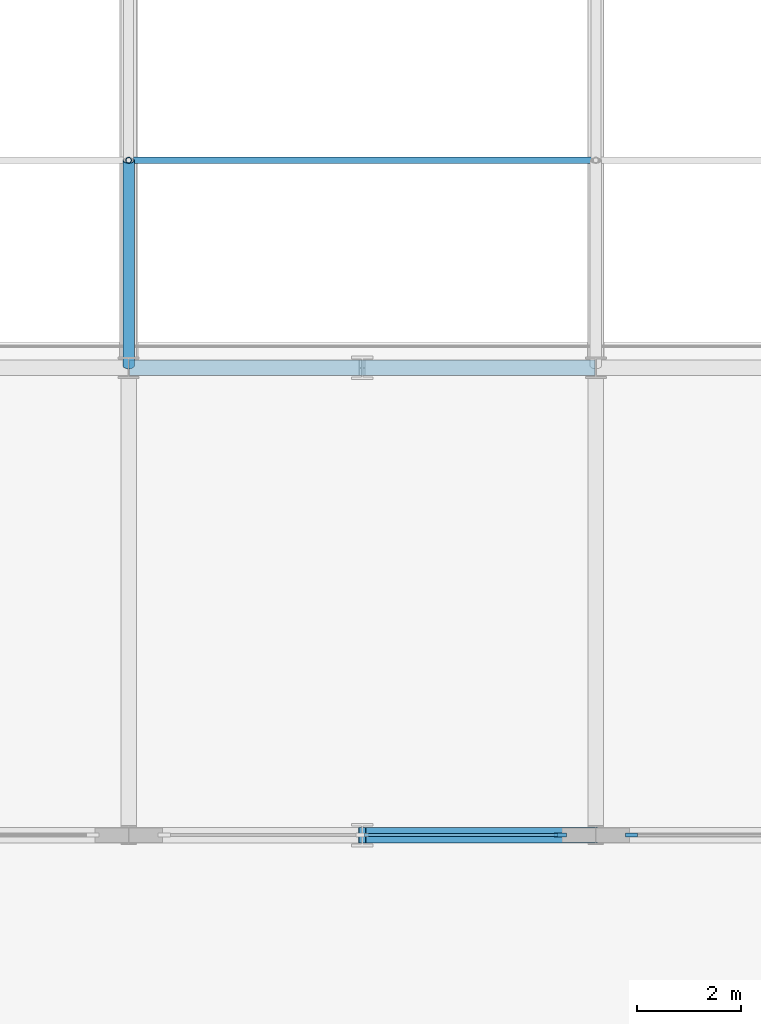
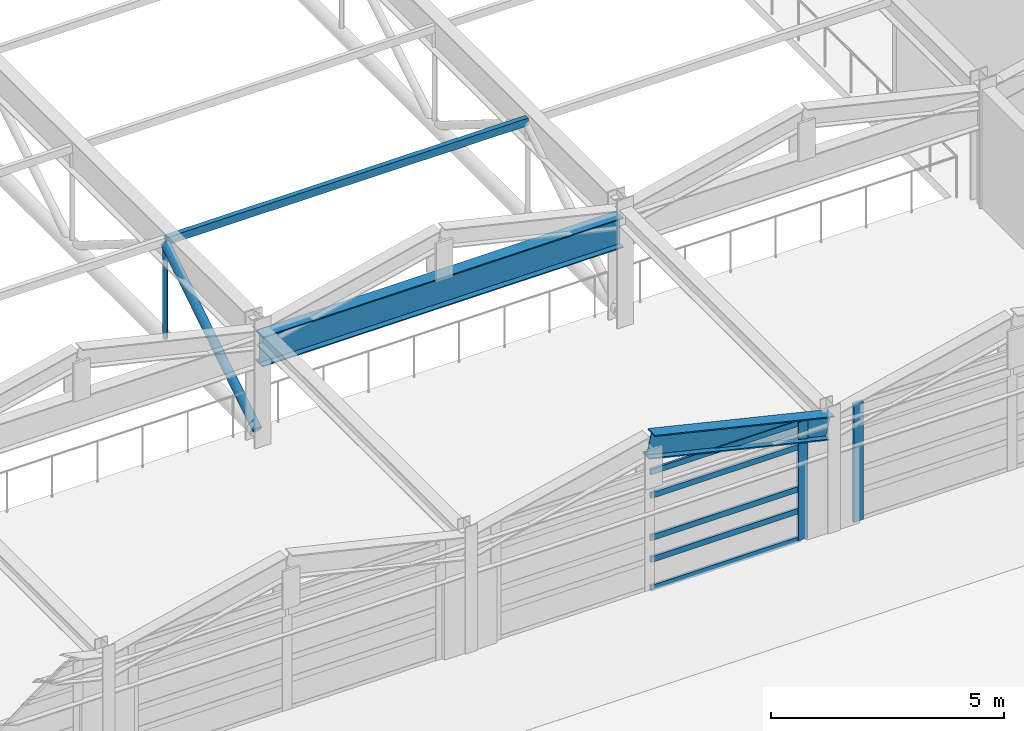
# One storey, part 26 of 91: 10 members, 2 beams, 2 elements without a shape of their own.
"""IFC4 building model written with IfcOpenShell, lengths in metres."""

from ifc_helpers import new_model, si_unit, direction, frame, origin, origin_2d, place, context, subcontext, project, spatial, rectangle, hollow_rectangle, hollow_circle, i_section, extrude, material, material_profile, profile_set, type_object, element, aggregate, save


model = new_model("IFC4")

# Units and contexts
model_context = context("Model", 3, precision=1e-05, world=origin(), true_north=direction((0.0, 1.0)))
body_context = subcontext(model_context, "Body", "Model", "MODEL_VIEW")
ifc_project = project(units=[si_unit("LENGTHUNIT", "METRE"), si_unit("AREAUNIT", "SQUARE_METRE"), si_unit("VOLUMEUNIT", "CUBIC_METRE"), si_unit("PLANEANGLEUNIT", "RADIAN"), si_unit("MASSUNIT", "GRAM", prefix="KILO")], contexts=[model_context])

# Site, building, storey
site_placement = place(None, origin())
site = spatial("IfcSite", under=ifc_project, at=site_placement, CompositionType="ELEMENT")
building_placement = place(site_placement, origin())
building = spatial("IfcBuilding", under=site, at=building_placement, Name="Palais des Congres Ocreval", CompositionType="ELEMENT")
storey_placement = place(building_placement, frame((0.0, 0.0, 8.159912109375)))
storey = spatial("IfcBuildingStorey", under=building, at=storey_placement, Name="L02", CompositionType="ELEMENT", Elevation=8.159912109375)

# Curtain wall, member
ifc_material_1 = material(Name="Anodized bronze aluminium and low-E glass", Category="glass")
curtain_wall_type = type_object("IfcCurtainWallType", Name="Unitised Curtain Wall 7900x3120", PredefinedType="USERDEFINED", material=ifc_material_1)
curtain_wall_1_placement = place(storey_placement, origin())
curtain_wall_1 = element("IfcCurtainWall", 1, at=curtain_wall_1_placement, inside=storey, type_object=curtain_wall_type, Name="Unitised Curtain Wall CW03 L02", ObjectType="UNITISED CURTAIN WALL", PredefinedType="USERDEFINED")
ifc_material_2 = material(Name="Anodized bronze aluminium", Category="aluminium")
ifc_material_profile_1 = material_profile(ifc_material_2, rectangle(XDim=0.074951171875, YDim=0.239990234375, at=origin_2d()), Name="ALU 75x240")
ifc_profile_set_1 = profile_set([ifc_material_profile_1], Name="Anodized bronze aluminium")
member_type_1 = type_object("IfcMemberType", Name="Curtain Wall Mullion ALU 75x240", PredefinedType="MULLION", material=ifc_profile_set_1)
member_1_placement = place(storey_placement, frame((36.6875, 81.0, 0.0), z_axis=(0.0, 0.0, 1.0), x_axis=(0.0, -1.0, 0.0)))
member_1 = element("IfcMember", 2, at=member_1_placement, type_object=member_type_1, Name="Curtain Wall Mullion ML01", PredefinedType="MULLION", context=body_context, shape_type="SweptSolid", body=[
    extrude(rectangle(XDim=0.074951171875, YDim=0.239990234375, at=origin_2d()), origin(), (0.0, 0.0, 1.0), 3.110107421875),
])
aggregate(curtain_wall_1, [member_1])

# Curtain wall, members
curtain_wall_2_placement = place(storey_placement, origin())
curtain_wall_2 = element("IfcCurtainWall", 3, at=curtain_wall_2_placement, inside=storey, type_object=curtain_wall_type, Name="Unitised Curtain Wall CW03 L02", ObjectType="UNITISED CURTAIN WALL", PredefinedType="USERDEFINED")
member_2_placement = place(storey_placement, frame((35.3125, 81.0, 0.0), z_axis=(0.0, 0.0, 1.0), x_axis=(0.0, -1.0, 0.0)))
member_2 = element("IfcMember", 4, at=member_2_placement, type_object=member_type_1, Name="Curtain Wall Mullion ML01", PredefinedType="MULLION", context=body_context, shape_type="SweptSolid", body=[
    extrude(rectangle(XDim=0.074951171875, YDim=0.239990234375, at=origin_2d()), origin(), (0.0, 0.0, 1.0), 3.110107421875),
])
ifc_material_profile_2 = material_profile(ifc_material_2, rectangle(XDim=0.06005859375, YDim=0.14990234375, at=origin_2d()), Name="ALU 60x150")
ifc_profile_set_2 = profile_set([ifc_material_profile_2], Name="Anodized bronze aluminium")
member_type_2 = type_object("IfcMemberType", Name="Curtain Wall Transom ALU 60x150", PredefinedType="USERDEFINED", material=ifc_profile_set_2)
member_3_placement = place(storey_placement, frame((35.27490234375, 81.0, 0.030029296875), z_axis=(-1.0, 0.0, 0.0), x_axis=(0.0, -1.0, 0.0)))
member_3 = element("IfcMember", 5, at=member_3_placement, type_object=member_type_2, Name="Curtain Wall Transom TR01", ObjectType="TRANSOM", PredefinedType="USERDEFINED", context=body_context, shape_type="SweptSolid", body=[
    extrude(rectangle(XDim=0.06005859375, YDim=0.14990234375, at=origin_2d()), origin(), (0.0, 0.0, 1.0), 3.7373046875),
])
member_4_placement = place(storey_placement, frame((35.27490234375, 81.0, 0.780029296875), z_axis=(-1.0, 0.0, 0.0), x_axis=(0.0, -1.0, 0.0)))
member_4 = element("IfcMember", 6, at=member_4_placement, type_object=member_type_2, Name="Curtain Wall Transom TR01", ObjectType="TRANSOM", PredefinedType="USERDEFINED", context=body_context, shape_type="SweptSolid", body=[
    extrude(rectangle(XDim=0.06005859375, YDim=0.14990234375, at=origin_2d()), origin(), (0.0, 0.0, 1.0), 3.7373046875),
])
member_5_placement = place(storey_placement, frame((35.27490234375, 81.0, 1.35302734375), z_axis=(-1.0, 0.0, 0.0), x_axis=(0.0, -1.0, 0.0)))
member_5 = element("IfcMember", 7, at=member_5_placement, type_object=member_type_2, Name="Curtain Wall Transom TR01", ObjectType="TRANSOM", PredefinedType="USERDEFINED", context=body_context, shape_type="SweptSolid", body=[
    extrude(rectangle(XDim=0.06005859375, YDim=0.14990234375, at=origin_2d()), origin(), (0.0, 0.0, 1.0), 3.7373046875),
])
member_6_placement = place(storey_placement, frame((35.27490234375, 81.0, 2.460205078125), z_axis=(-1.0, 0.0, 0.0), x_axis=(0.0, -1.0, 0.0)))
member_6 = element("IfcMember", 8, at=member_6_placement, type_object=member_type_2, Name="Curtain Wall Transom TR01", ObjectType="TRANSOM", PredefinedType="USERDEFINED", context=body_context, shape_type="SweptSolid", body=[
    extrude(rectangle(XDim=0.06005859375, YDim=0.14990234375, at=origin_2d()), origin(), (0.0, 0.0, 1.0), 3.7373046875),
])
member_7_placement = place(storey_placement, frame((35.27490234375, 81.0, 3.080078125), z_axis=(-1.0, 0.0, 0.0), x_axis=(0.0, -1.0, 0.0)))
member_7 = element("IfcMember", 9, at=member_7_placement, type_object=member_type_2, Name="Curtain Wall Transom TR01", ObjectType="TRANSOM", PredefinedType="USERDEFINED", context=body_context, shape_type="SweptSolid", body=[
    extrude(rectangle(XDim=0.06005859375, YDim=0.14990234375, at=origin_2d()), origin(), (0.0, 0.0, 1.0), 3.7373046875),
])
aggregate(curtain_wall_2, [member_2, member_3, member_4, member_5, member_6, member_7])

# Member
ifc_material_3 = material(Name="Steel S355", Category="steel")
ifc_material_profile_3 = material_profile(ifc_material_3, hollow_circle(Radius=0.109619140625, WallThickness=0.012451171875, at=origin_2d()), Name="CHS 219.1x12.5")
ifc_profile_set_3 = profile_set([ifc_material_profile_3], Name="Steel S355")
member_type_3 = type_object("IfcMemberType", Name="Diagonal Brace CHS 219.1x12.5 Steel S355", PredefinedType="BRACE", material=ifc_profile_set_3)
member_8_placement = place(storey_placement, frame((27.0, 90.0400390625, 0.2900390625), z_axis=(0.0, 0.845587991701, 0.533836068743), x_axis=(-1.0, 0.0, 0.0)))
element("IfcMember", 10, at=member_8_placement, inside=storey, type_object=member_type_3, Name="ROOF TRUSS Diagonal V1-27-1", PredefinedType="BRACE", context=body_context, shape_type="SweptSolid", body=[
    extrude(hollow_circle(Radius=0.109619140625, WallThickness=0.012451171875, at=origin_2d()), origin(), (0.0, 0.0, 1.0), 4.68310546875),
])

# Beams
ifc_material_profile_4 = material_profile(ifc_material_3, i_section(OverallWidth=0.300048828125, OverallDepth=0.7900390625, WebThickness=0.014892578125, FlangeThickness=0.028076171875, at=origin_2d()), Name="HEA 800")
ifc_profile_set_4 = profile_set([ifc_material_profile_4], Name="Steel S355")
beam_type_1 = type_object("IfcBeamType", Name="Long-Span Girder HEA 800 Steel S355", PredefinedType="BEAM", material=ifc_profile_set_4)
beam_1_placement = place(storey_placement, frame((27.02001953125, 90.0, 2.43017578125), z_axis=(1.0, 0.0, 0.0), x_axis=(0.0, 1.0, 0.0)))
element("IfcBeam", 11, at=beam_1_placement, inside=storey, type_object=beam_type_1, Name="Beam B15 L02", PredefinedType="BEAM", context=body_context, shape_type="SweptSolid", body=[
    extrude(i_section(OverallWidth=0.300048828125, OverallDepth=0.7900390625, WebThickness=0.014892578125, FlangeThickness=0.028076171875, at=origin_2d()), origin(), (0.0, 0.0, 1.0), 8.9599609375),
])
ifc_material_profile_5 = material_profile(ifc_material_3, i_section(OverallWidth=0.300048828125, OverallDepth=0.60009765625, WebThickness=0.015380859375, FlangeThickness=0.030029296875, at=origin_2d()), Name="HEB 600")
ifc_profile_set_5 = profile_set([ifc_material_profile_5], Name="Steel S355")
beam_type_2 = type_object("IfcBeamType", Name="ROOF TRUSS Rafter HEB 600 Steel S355", PredefinedType="BEAM", material=ifc_profile_set_5)
beam_2_placement = place(storey_placement, frame((31.5, 81.0, 3.820068359375), z_axis=(0.972896426025, 0.0, -0.231241311682), x_axis=(0.0, 1.0, 0.0)))
element("IfcBeam", 12, at=beam_2_placement, inside=storey, type_object=beam_type_2, Name="ROOF TRUSS Folded Rafter RFB2", PredefinedType="BEAM", context=body_context, shape_type="SweptSolid", body=[
    extrude(i_section(OverallWidth=0.300048828125, OverallDepth=0.60009765625, WebThickness=0.015380859375, FlangeThickness=0.030029296875, at=origin_2d()), origin(), (0.0, 0.0, 1.0), 4.584228515625),
])

# Members
ifc_material_profile_6 = material_profile(ifc_material_3, hollow_rectangle(XDim=0.1201171875, YDim=0.199951171875, WallThickness=0.010009765625, at=origin_2d()), Name="RHS 200x120x10")
ifc_profile_set_6 = profile_set([ifc_material_profile_6], Name="Steel S355")
member_type_4 = type_object("IfcMemberType", Name="Roof Purlin RHS 200x120x10 Steel S355", PredefinedType="PURLIN", material=ifc_profile_set_6)
member_9_placement = place(storey_placement, frame((27.02001953125, 94.0, 2.860107421875), z_axis=(1.0, 0.0, 0.0), x_axis=(0.0, 1.0, 0.0)))
element("IfcMember", 13, at=member_9_placement, inside=storey, type_object=member_type_4, Name="Roof Purlin PU01 V1", PredefinedType="PURLIN", context=body_context, shape_type="SweptSolid", body=[
    extrude(hollow_rectangle(XDim=0.1201171875, YDim=0.199951171875, WallThickness=0.010009765625, at=origin_2d()), origin(), (0.0, 0.0, 1.0), 8.9599609375),
])
ifc_material_profile_7 = material_profile(ifc_material_3, hollow_circle(Radius=0.05712890625, WallThickness=0.00634765625, at=origin_2d()), Name="CHS 114.3x6.3")
ifc_profile_set_7 = profile_set([ifc_material_profile_7], Name="Steel S355")
member_type_5 = type_object("IfcMemberType", Name="Truss Strut CHS 114.3x6.3 Steel S355", PredefinedType="STRUT", material=ifc_profile_set_7)
member_10_placement = place(storey_placement, frame((27.0, 94.0, 0.2900390625), z_axis=(0.0, 0.0, 1.0), x_axis=(1.0, 0.0, 0.0)))
element("IfcMember", 14, at=member_10_placement, inside=storey, type_object=member_type_5, Name="ROOF TRUSS Vertical Strut V1-27-1", PredefinedType="STRUT", context=body_context, shape_type="SweptSolid", body=[
    extrude(hollow_circle(Radius=0.05712890625, WallThickness=0.00634765625, at=origin_2d()), origin(), (0.0, 0.0, 1.0), 2.5),
])

save(model, "model.ifc")
